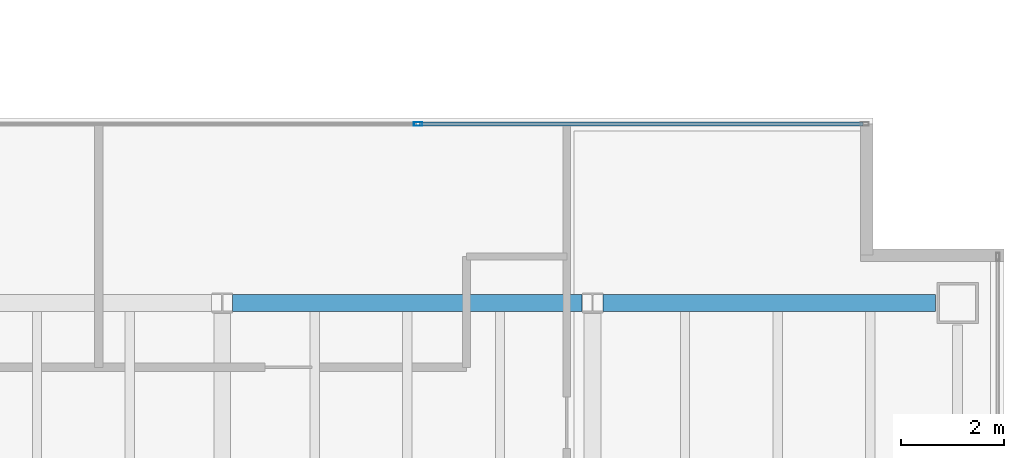
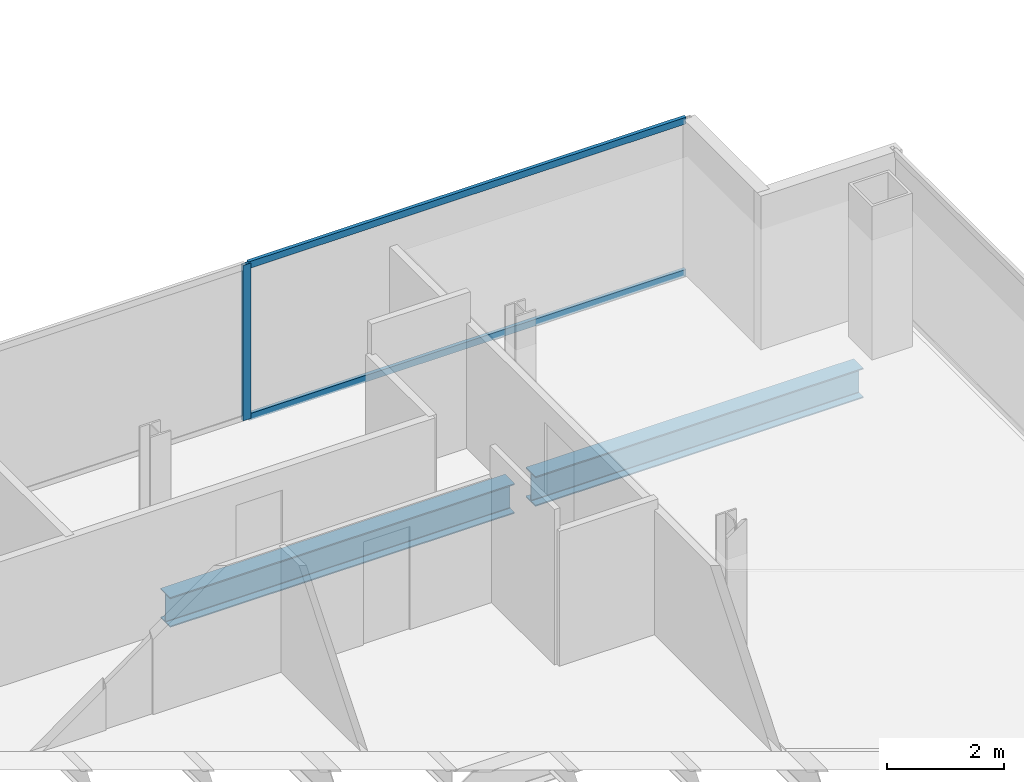
# One storey, part 15 of 23: 3 members, 2 beams, 1 element without a shape of its own.
"""IFC4 building model written with IfcOpenShell, lengths in metres."""

from ifc_helpers import new_model, si_unit, direction, frame, origin, origin_2d, place, context, subcontext, project, spatial, hollow_rectangle, i_section, extrude, material, material_profile, profile_set, type_object, element, aggregate, save


model = new_model("IFC4")

# Units and contexts
model_context = context("Model", 3, precision=1e-05, world=origin(), true_north=direction((0.0, 1.0)))
body_context = subcontext(model_context, "Body", "Model", "MODEL_VIEW")
ifc_project = project(units=[si_unit("LENGTHUNIT", "METRE"), si_unit("AREAUNIT", "SQUARE_METRE"), si_unit("VOLUMEUNIT", "CUBIC_METRE"), si_unit("PLANEANGLEUNIT", "RADIAN"), si_unit("MASSUNIT", "GRAM", prefix="KILO")], contexts=[model_context])

# Site, building, storey
site_placement = place(None, origin())
site = spatial("IfcSite", under=ifc_project, at=site_placement, CompositionType="ELEMENT")
building_placement = place(site_placement, origin())
building = spatial("IfcBuilding", under=site, at=building_placement, Name="Cobrela Telecom Tower", CompositionType="ELEMENT")
storey_placement = place(building_placement, frame((0.0, 0.0, 187.25)))
storey = spatial("IfcBuildingStorey", under=building, at=storey_placement, Name="L47", CompositionType="ELEMENT", Elevation=187.25)

# Beams
ifc_material_1 = material(Name="Steel ASTM A992 Grade 50", Category="steel")
ifc_material_profile_1 = material_profile(ifc_material_1, i_section(OverallWidth=0.327880859375, OverallDepth=0.6220703125, WebThickness=0.015380859375, FlangeThickness=0.0244140625, FilletRadius=0.014892578125, at=origin_2d()), Name="W24X131")
ifc_profile_set_1 = profile_set([ifc_material_profile_1], Name="Steel ASTM A992 Grade 50")
beam_type = type_object("IfcBeamType", Name="BM-GIRD-06", PredefinedType="USERDEFINED", material=ifc_profile_set_1)
beam_1_placement = place(storey_placement, frame((29.00439453125, 21.60009765625, -0.571044921875), z_axis=(1.0, 0.0, 0.0), x_axis=(0.0, 1.0, 0.0)))
element("IfcBeam", 1, at=beam_1_placement, inside=storey, type_object=beam_type, Name="L47 Primary Girder X17", ObjectType="GIRDER", PredefinedType="USERDEFINED", context=body_context, shape_type="SweptSolid", body=[
    extrude(i_section(OverallWidth=0.327880859375, OverallDepth=0.6220703125, WebThickness=0.015380859375, FlangeThickness=0.0244140625, FilletRadius=0.014892578125, at=origin_2d()), origin(), (0.0, 0.0, 1.0), 6.791015625),
])
beam_2_placement = place(storey_placement, frame((36.20458984375, 21.60009765625, -0.571044921875), z_axis=(1.0, 0.0, 0.0), x_axis=(0.0, 1.0, 0.0)))
element("IfcBeam", 2, at=beam_2_placement, inside=storey, type_object=beam_type, Name="L47 Primary Girder X18", ObjectType="GIRDER", PredefinedType="USERDEFINED", context=body_context, shape_type="SweptSolid", body=[
    extrude(i_section(OverallWidth=0.327880859375, OverallDepth=0.6220703125, WebThickness=0.015380859375, FlangeThickness=0.0244140625, FilletRadius=0.014892578125, at=origin_2d()), origin(), (0.0, 0.0, 1.0), 6.46533203125),
])

# Curtain wall, members
ifc_material_2 = material(Name="Anodized Bronze Aluminium 6063-T6", Category="aluminium")
curtain_wall_type = type_object("IfcCurtainWallType", Name="CW-SYS-OFF-LO", PredefinedType="USERDEFINED", material=ifc_material_2)
curtain_wall_placement = place(storey_placement, origin())
curtain_wall = element("IfcCurtainWall", 3, at=curtain_wall_placement, inside=storey, type_object=curtain_wall_type, Name="L47 Unitised Bronze Curtain Wall 11", ObjectType="UNITISED CURTAIN WALL", PredefinedType="USERDEFINED")
ifc_material_profile_2 = material_profile(ifc_material_2, hollow_rectangle(XDim=0.070068359375, YDim=0.159912109375, WallThickness=0.00390625, at=origin_2d()), Name="ALU 70x160x4")
ifc_profile_set_2 = profile_set([ifc_material_profile_2], Name="Anodized Bronze Aluminium 6063-T6")
member_type_1 = type_object("IfcMemberType", Name="CW-SYS-OFF-LO-MUL", PredefinedType="MULLION", material=ifc_profile_set_2)
member_1_placement = place(storey_placement, frame((32.60498046875, 25.080078125, 0.0), z_axis=(0.0, 0.0, 1.0), x_axis=(0.0, 1.0, 0.0)))
member_1 = element("IfcMember", 4, at=member_1_placement, type_object=member_type_1, Name="CW-OFF-LO mullion 2", PredefinedType="MULLION", context=body_context, shape_type="SweptSolid", body=[
    extrude(hollow_rectangle(XDim=0.070068359375, YDim=0.159912109375, WallThickness=0.00390625, at=origin_2d()), origin(), (0.0, 0.0, 1.0), 3.239990234375),
])
ifc_material_profile_3 = material_profile(ifc_material_2, hollow_rectangle(XDim=0.070068359375, YDim=0.139892578125, WallThickness=0.00390625, at=origin_2d()), Name="ALU 70x140x4")
ifc_profile_set_3 = profile_set([ifc_material_profile_3], Name="Anodized Bronze Aluminium 6063-T6")
member_type_2 = type_object("IfcMemberType", Name="CW-SYS-OFF-LO-TRN", PredefinedType="USERDEFINED", material=ifc_profile_set_3)
member_2_placement = place(storey_placement, frame((32.639892578125, 25.080078125, 0.034912109375), z_axis=(1.0, 0.0, 0.0), x_axis=(0.0, 1.0, 0.0)))
member_2 = element("IfcMember", 5, at=member_2_placement, type_object=member_type_2, Name="CW-OFF-LO transom 2.1", ObjectType="TRANSOM", PredefinedType="USERDEFINED", context=body_context, shape_type="SweptSolid", body=[
    extrude(hollow_rectangle(XDim=0.070068359375, YDim=0.139892578125, WallThickness=0.00390625, at=origin_2d()), origin(), (0.0, 0.0, 1.0), 8.6201171875),
])
member_3_placement = place(storey_placement, frame((32.639892578125, 25.080078125, 3.205078125), z_axis=(1.0, 0.0, 0.0), x_axis=(0.0, 1.0, 0.0)))
member_3 = element("IfcMember", 6, at=member_3_placement, type_object=member_type_2, Name="CW-OFF-LO transom 2.2", ObjectType="TRANSOM", PredefinedType="USERDEFINED", context=body_context, shape_type="SweptSolid", body=[
    extrude(hollow_rectangle(XDim=0.070068359375, YDim=0.139892578125, WallThickness=0.00390625, at=origin_2d()), origin(), (0.0, 0.0, 1.0), 8.6201171875),
])
aggregate(curtain_wall, [member_1, member_2, member_3])

save(model, "model.ifc")
